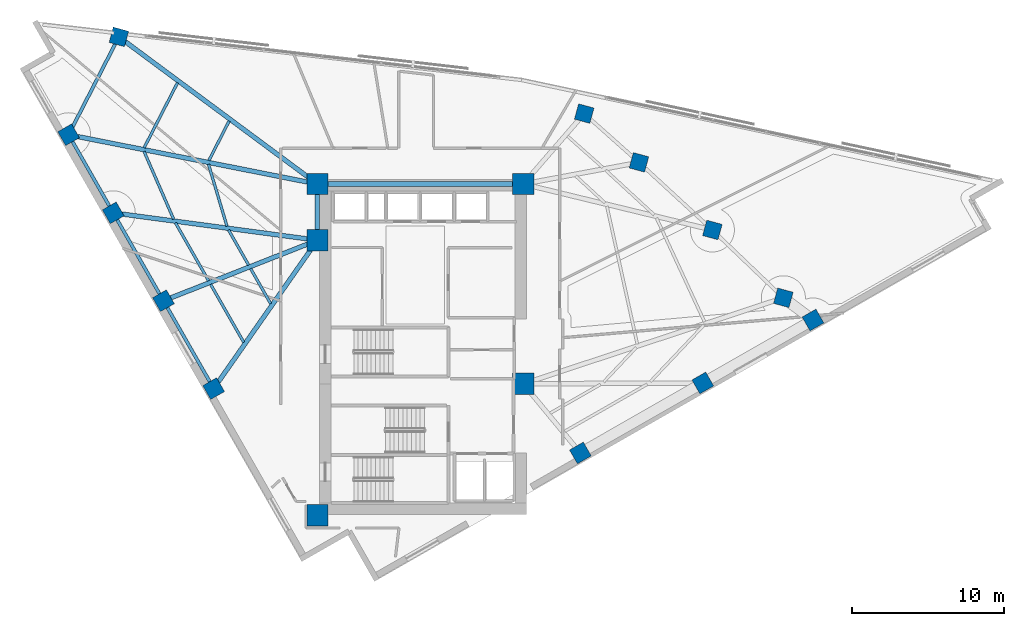
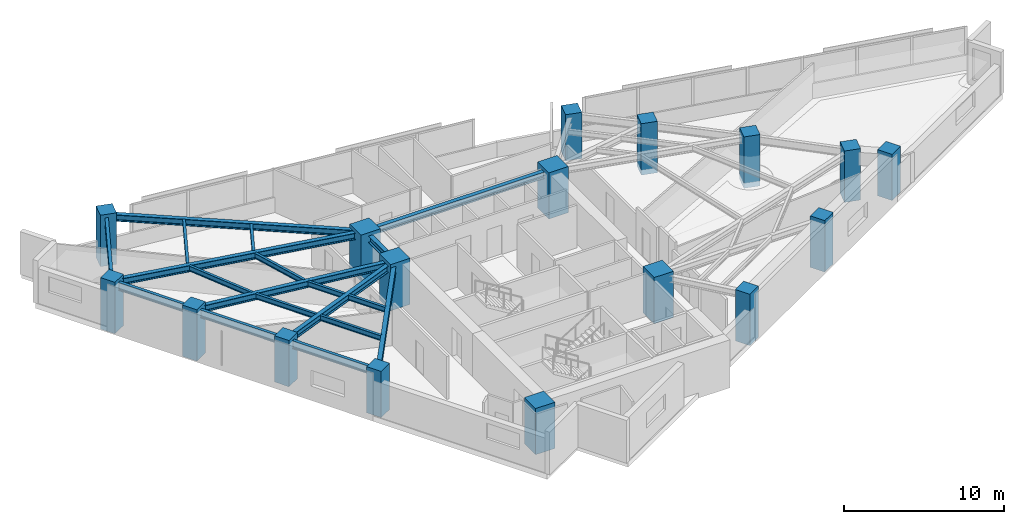
# One storey, part 1 of 13: 19 beams, 17 columns.
"""IFC4 building model written with IfcOpenShell, lengths in metres."""

from ifc_helpers import new_model, si_unit, direction, frame, origin, origin_2d, place, context, subcontext, project, spatial, rectangle, i_section, extrude, material, material_profile, profile_set, type_object, element, save


model = new_model("IFC4")

# Units and contexts
model_context = context("Model", 3, precision=1e-05, world=origin(), true_north=direction((0.0, 1.0)))
body_context = subcontext(model_context, "Body", "Model", "MODEL_VIEW")
ifc_project = project(units=[si_unit("LENGTHUNIT", "METRE"), si_unit("AREAUNIT", "SQUARE_METRE"), si_unit("VOLUMEUNIT", "CUBIC_METRE"), si_unit("PLANEANGLEUNIT", "RADIAN"), si_unit("MASSUNIT", "GRAM", prefix="KILO")], contexts=[model_context])

# Site, building, storey
site_placement = place(None, origin())
site = spatial("IfcSite", under=ifc_project, at=site_placement, CompositionType="ELEMENT")
building_placement = place(site_placement, origin())
building = spatial("IfcBuilding", under=site, at=building_placement, Name="Narakoshi Arena Tower", CompositionType="ELEMENT")
storey_placement = place(building_placement, frame((0.0, 0.0, 200.89990234375)))
storey = spatial("IfcBuildingStorey", under=building, at=storey_placement, Name="L54", CompositionType="ELEMENT", Elevation=200.89990234375)

# Columns
ifc_material_1 = material(Name="Concrete C50/60", Category="concrete")
ifc_material_profile_1 = material_profile(ifc_material_1, rectangle(XDim=1.050048828125, YDim=1.050048828125, at=origin_2d()), Name="RC1050x1050")
ifc_profile_set_1 = profile_set([ifc_material_profile_1], Name="Concrete C50/60")
column_type_1 = type_object("IfcColumnType", Name="COL-RC1050", PredefinedType="COLUMN", material=ifc_profile_set_1)
for number, where, z_axis, x_axis, name in (
    (1, (89.30810546875, 38.798583984375, -0.39990234375), (0.0, 0.0, 1.0), (0.868198814489, 0.496216503675, 0.0), "L54 Tower Perimeter Column TC01"),
    (2, (97.366943359375, 43.404541015625, -0.39990234375), (0.0, 0.0, 1.0), (0.868198814489, 0.496216503675, 0.0), "L54 Tower Perimeter Column TC02"),
):
    element("IfcColumn", number, at=place(storey_placement, frame(where, z_axis=z_axis, x_axis=x_axis)), inside=storey, type_object=column_type_1, Name=name, PredefinedType="COLUMN", context=body_context, shape_type="SweptSolid", body=[
        extrude(rectangle(XDim=1.050048828125, YDim=1.050048828125, at=origin_2d()), origin(), (0.0, 0.0, 1.0), 3.919921875),
    ])
column_1_placement = place(storey_placement, frame((104.619873046875, 47.550048828125, 0.0), z_axis=(0.0, 0.0, 1.0), x_axis=(0.868198814489, 0.496216503675, 0.0)))
element("IfcColumn", 3, at=column_1_placement, inside=storey, type_object=column_type_1, Name="L54 Tower Perimeter Column TC03", PredefinedType="COLUMN", context=body_context, shape_type="SweptSolid", body=[
    extrude(rectangle(XDim=1.050048828125, YDim=1.050048828125, at=origin_2d()), origin(), (0.0, 0.0, 1.0), 3.52001953125),
])
for number, where, z_axis, x_axis, name in (
    (4, (102.668701171875, 49.009521484375, -0.39990234375), (0.0, 0.0, 1.0), (0.263031214458, 0.964787323829, 0.0), "L54 Tower Perimeter Column TC05"),
    (5, (97.997802734375, 53.47509765625, -0.39990234375), (0.0, 0.0, 1.0), (0.263031214458, 0.964787323829, 0.0), "L54 Tower Perimeter Column TC06"),
    (6, (93.16650390625, 57.923828125, -0.39990234375), (0.0, 0.0, 1.0), (0.263031214458, 0.964787323829, 0.0), "L54 Tower Perimeter Column TC07"),
):
    element("IfcColumn", number, at=place(storey_placement, frame(where, z_axis=z_axis, x_axis=x_axis)), inside=storey, type_object=column_type_1, Name=name, PredefinedType="COLUMN", context=body_context, shape_type="SweptSolid", body=[
        extrude(rectangle(XDim=1.050048828125, YDim=1.050048828125, at=origin_2d()), origin(), (0.0, 0.0, 1.0), 3.919921875),
    ])
column_2_placement = place(storey_placement, frame((89.5615234375, 61.134765625, 0.0), z_axis=(0.0, 0.0, 1.0), x_axis=(0.263031214458, 0.964787323829, 0.0)))
element("IfcColumn", 7, at=column_2_placement, inside=storey, type_object=column_type_1, Name="L54 Tower Perimeter Column TC08", PredefinedType="COLUMN", context=body_context, shape_type="SweptSolid", body=[
    extrude(rectangle(XDim=1.050048828125, YDim=1.050048828125, at=origin_2d()), origin(), (0.0, 0.0, 1.0), 3.52001953125),
])
for number, where, z_axis, x_axis, name in (
    (8, (58.934326171875, 66.183837890625, -0.39990234375), (0.0, 0.0, 1.0), (0.263031214458, 0.964787323829, 0.0), "L54 Tower Perimeter Column TC10"),
    (9, (55.624755859375, 59.74169921875, -0.39990234375), (0.0, 0.0, 1.0), (-0.496216503675, 0.868198814489, 0.0), "L54 Tower Perimeter Column TC13"),
    (10, (58.562744140625, 54.60107421875, -0.39990234375), (0.0, 0.0, 1.0), (-0.496216503675, 0.868198814489, 0.0), "L54 Tower Perimeter Column TC14"),
):
    element("IfcColumn", number, at=place(storey_placement, frame(where, z_axis=z_axis, x_axis=x_axis)), inside=storey, type_object=column_type_1, Name=name, PredefinedType="COLUMN", context=body_context, shape_type="SweptSolid", body=[
        extrude(rectangle(XDim=1.050048828125, YDim=1.050048828125, at=origin_2d()), origin(), (0.0, 0.0, 1.0), 3.919921875),
    ])
for number, where, z_axis, x_axis, name in (
    (11, (61.8681640625, 48.81787109375, 0.0), (0.0, 0.0, 1.0), (-0.496216503675, 0.868198814489, 0.0), "L54 Tower Perimeter Column TC15"),
    (12, (65.17333984375, 43.03466796875, 0.0), (0.0, 0.0, 1.0), (-0.496216503675, 0.868198814489, 0.0), "L54 Tower Perimeter Column TC16"),
):
    element("IfcColumn", number, at=place(storey_placement, frame(where, z_axis=z_axis, x_axis=x_axis)), inside=storey, type_object=column_type_1, Name=name, PredefinedType="COLUMN", context=body_context, shape_type="SweptSolid", body=[
        extrude(rectangle(XDim=1.050048828125, YDim=1.050048828125, at=origin_2d()), origin(), (0.0, 0.0, 1.0), 3.52001953125),
    ])
ifc_material_2 = material(Name="Concrete C60/75", Category="concrete")
ifc_material_profile_2 = material_profile(ifc_material_2, rectangle(XDim=1.39990234375, YDim=1.39990234375, at=origin_2d()), Name="RC1400x1400")
ifc_profile_set_2 = profile_set([ifc_material_profile_2], Name="Concrete C60/75")
column_type_2 = type_object("IfcColumnType", Name="COL-RC1400", PredefinedType="COLUMN", material=ifc_profile_set_2)
for number, where, z_axis, x_axis, name in (
    (13, (72.0, 34.699951171875, 0.0), (0.0, 0.0, 1.0), (1.0, 0.0, 0.0), "L54 Core Structural Column CC1"),
    (14, (85.550048828125, 43.35009765625, 0.0), (0.0, 0.0, 1.0), (1.0, 0.0, 0.0), "L54 Core Structural Column CC3"),
    (15, (72.0, 52.800048828125, 0.0), (0.0, 0.0, 1.0), (1.0, 0.0, 0.0), "L54 Core Structural Column CC4"),
    (16, (72.0, 56.5, 0.0), (0.0, 0.0, 1.0), (1.0, 0.0, 0.0), "L54 Core Structural Column CC5"),
    (17, (85.550048828125, 56.5, 0.0), (0.0, 0.0, 1.0), (1.0, 0.0, 0.0), "L54 Core Structural Column CC6"),
):
    element("IfcColumn", number, at=place(storey_placement, frame(where, z_axis=z_axis, x_axis=x_axis)), inside=storey, type_object=column_type_2, Name=name, PredefinedType="COLUMN", context=body_context, shape_type="SweptSolid", body=[
        extrude(rectangle(XDim=1.39990234375, YDim=1.39990234375, at=origin_2d()), origin(), (0.0, 0.0, 1.0), 3.52001953125),
    ])

# Beams
ifc_material_3 = material(Name="Structural steel S355J2", Category="steel")
ifc_material_profile_3 = material_profile(ifc_material_3, i_section(OverallWidth=0.219970703125, OverallDepth=0.60009765625, WebThickness=0.011962890625, FlangeThickness=0.01904296875, FilletRadius=0.02392578125, at=origin_2d()), Name="IPE600")
ifc_profile_set_3 = profile_set([ifc_material_profile_3], Name="Structural steel S355J2")
beam_type_1 = type_object("IfcBeamType", Name="BM-EDGE-600", PredefinedType="BEAM", material=ifc_profile_set_3)
beam_1_placement = place(storey_placement, frame((58.934326171875, 66.183837890625, 2.960205078125), z_axis=(-0.45696256568, -0.889485926571, 0.0), x_axis=(0.889485926571, -0.45696256568, 0.0)))
element("IfcBeam", 18, at=beam_1_placement, inside=storey, type_object=beam_type_1, Name="L54 Perimeter Edge Girder 08", PredefinedType="BEAM", context=body_context, shape_type="SweptSolid", body=[
    extrude(i_section(OverallWidth=0.219970703125, OverallDepth=0.60009765625, WebThickness=0.011962890625, FlangeThickness=0.01904296875, FilletRadius=0.02392578125, at=origin_2d()), origin(), (0.0, 0.0, 1.0), 7.242431640625),
])
beam_2_placement = place(storey_placement, frame((55.624755859375, 59.74169921875, 2.960205078125), z_axis=(0.496201104161, -0.868207615856, 0.0), x_axis=(0.868207615856, 0.496201104161, 0.0)))
element("IfcBeam", 19, at=beam_2_placement, inside=storey, type_object=beam_type_1, Name="L54 Perimeter Edge Girder 09", PredefinedType="BEAM", context=body_context, shape_type="SweptSolid", body=[
    extrude(i_section(OverallWidth=0.219970703125, OverallDepth=0.60009765625, WebThickness=0.011962890625, FlangeThickness=0.01904296875, FilletRadius=0.02392578125, at=origin_2d()), origin(), (0.0, 0.0, 1.0), 5.9208984375),
])
for number, where, z_axis, x_axis, name in (
    (20, (58.562744140625, 54.60107421875, 2.960205078125), (0.496221824399, -0.868195773423, 0.0), (0.868195773423, 0.496221824399, 0.0), "L54 Perimeter Edge Girder 10"),
    (21, (61.8681640625, 48.81787109375, 2.960205078125), (0.496194197226, -0.868211563295, 0.0), (0.868211563295, 0.496194197226, 0.0), "L54 Perimeter Edge Girder 11"),
):
    element("IfcBeam", number, at=place(storey_placement, frame(where, z_axis=z_axis, x_axis=x_axis)), inside=storey, type_object=beam_type_1, Name=name, PredefinedType="BEAM", context=body_context, shape_type="SweptSolid", body=[
        extrude(i_section(OverallWidth=0.219970703125, OverallDepth=0.60009765625, WebThickness=0.011962890625, FlangeThickness=0.01904296875, FilletRadius=0.02392578125, at=origin_2d()), origin(), (0.0, 0.0, 1.0), 6.6611328125),
    ])
ifc_material_profile_4 = material_profile(ifc_material_3, i_section(OverallWidth=0.300048828125, OverallDepth=0.5, WebThickness=0.014404296875, FlangeThickness=0.028076171875, FilletRadius=0.027099609375, at=origin_2d()), Name="HE500B")
ifc_profile_set_4 = profile_set([ifc_material_profile_4], Name="Structural steel S355J2")
beam_type_2 = type_object("IfcBeamType", Name="BM-PRI-500", PredefinedType="BEAM", material=ifc_profile_set_4)
beam_3_placement = place(storey_placement, frame((72.0, 56.5, 3.010009765625), z_axis=(-0.803393614053, 0.595448319252, 0.0), x_axis=(-0.595448319252, -0.803393614053, 0.0)))
element("IfcBeam", 22, at=beam_3_placement, inside=storey, type_object=beam_type_2, Name="L54 Radial Primary Floor Girder 08", PredefinedType="BEAM", context=body_context, shape_type="SweptSolid", body=[
    extrude(i_section(OverallWidth=0.300048828125, OverallDepth=0.5, WebThickness=0.014404296875, FlangeThickness=0.028076171875, FilletRadius=0.027099609375, at=origin_2d()), origin(), (0.0, 0.0, 1.0), 16.26318359375),
])
beam_4_placement = place(storey_placement, frame((72.0, 56.5, 3.010009765625), z_axis=(-0.980962989548, 0.194194781435, 0.0), x_axis=(-0.194194781435, -0.980962989548, 0.0)))
element("IfcBeam", 23, at=beam_4_placement, inside=storey, type_object=beam_type_2, Name="L54 Radial Primary Floor Girder 09", PredefinedType="BEAM", context=body_context, shape_type="SweptSolid", body=[
    extrude(i_section(OverallWidth=0.300048828125, OverallDepth=0.5, WebThickness=0.014404296875, FlangeThickness=0.028076171875, FilletRadius=0.027099609375, at=origin_2d()), origin(), (0.0, 0.0, 1.0), 16.693115234375),
])
beam_5_placement = place(storey_placement, frame((72.0, 52.800048828125, 3.010009765625), z_axis=(-0.991136919777, 0.132844293268, 0.0), x_axis=(-0.132844293268, -0.991136919777, 0.0)))
element("IfcBeam", 24, at=beam_5_placement, inside=storey, type_object=beam_type_2, Name="L54 Radial Primary Floor Girder 10", PredefinedType="BEAM", context=body_context, shape_type="SweptSolid", body=[
    extrude(i_section(OverallWidth=0.300048828125, OverallDepth=0.5, WebThickness=0.014404296875, FlangeThickness=0.028076171875, FilletRadius=0.027099609375, at=origin_2d()), origin(), (0.0, 0.0, 1.0), 13.557373046875),
])
beam_6_placement = place(storey_placement, frame((72.0, 52.800048828125, 3.010009765625), z_axis=(-0.930694784397, -0.365796689838, 0.0), x_axis=(0.365796689838, -0.930694784397, 0.0)))
element("IfcBeam", 25, at=beam_6_placement, inside=storey, type_object=beam_type_2, Name="L54 Radial Primary Floor Girder 11", PredefinedType="BEAM", context=body_context, shape_type="SweptSolid", body=[
    extrude(i_section(OverallWidth=0.300048828125, OverallDepth=0.5, WebThickness=0.014404296875, FlangeThickness=0.028076171875, FilletRadius=0.027099609375, at=origin_2d()), origin(), (0.0, 0.0, 1.0), 10.88623046875),
])
beam_7_placement = place(storey_placement, frame((72.0, 52.800048828125, 3.010009765625), z_axis=(-0.572949287291, -0.819590821198, 0.0), x_axis=(0.819590821198, -0.572949287291, 0.0)))
element("IfcBeam", 26, at=beam_7_placement, inside=storey, type_object=beam_type_2, Name="L54 Radial Primary Floor Girder 12", PredefinedType="BEAM", context=body_context, shape_type="SweptSolid", body=[
    extrude(i_section(OverallWidth=0.300048828125, OverallDepth=0.5, WebThickness=0.014404296875, FlangeThickness=0.028076171875, FilletRadius=0.027099609375, at=origin_2d()), origin(), (0.0, 0.0, 1.0), 11.9150390625),
])
beam_8_placement = place(storey_placement, frame((72.0, 52.800048828125, 3.010009765625), z_axis=(0.0, 1.0, 0.0), x_axis=(-1.0, 0.0, 0.0)))
element("IfcBeam", 27, at=beam_8_placement, inside=storey, type_object=beam_type_2, Name="L54 Core Perimeter Frame Beam CC4-CC5", PredefinedType="BEAM", context=body_context, shape_type="SweptSolid", body=[
    extrude(i_section(OverallWidth=0.300048828125, OverallDepth=0.5, WebThickness=0.014404296875, FlangeThickness=0.028076171875, FilletRadius=0.027099609375, at=origin_2d()), origin(), (0.0, 0.0, 1.0), 3.699951171875),
])
beam_9_placement = place(storey_placement, frame((72.0, 56.5, 3.010009765625), z_axis=(1.0, 0.0, 0.0), x_axis=(0.0, 1.0, 0.0)))
element("IfcBeam", 28, at=beam_9_placement, inside=storey, type_object=beam_type_2, Name="L54 Core Perimeter Frame Beam CC5-CC6", PredefinedType="BEAM", context=body_context, shape_type="SweptSolid", body=[
    extrude(i_section(OverallWidth=0.300048828125, OverallDepth=0.5, WebThickness=0.014404296875, FlangeThickness=0.028076171875, FilletRadius=0.027099609375, at=origin_2d()), origin(), (0.0, 0.0, 1.0), 13.550048828125),
])
ifc_material_profile_5 = material_profile(ifc_material_3, i_section(OverallWidth=0.179931640625, OverallDepth=0.39990234375, WebThickness=0.008544921875, FlangeThickness=0.013427734375, FilletRadius=0.02099609375, at=origin_2d()), Name="IPE400")
ifc_profile_set_5 = profile_set([ifc_material_profile_5], Name="Structural steel S355J2")
beam_type_3 = type_object("IfcBeamType", Name="BM-SEC-400", PredefinedType="JOIST", material=ifc_profile_set_5)
beam_10_placement = place(storey_placement, frame((66.189453125, 60.640869140625, 3.06005859375), z_axis=(-0.456929991759, -0.889502660272, 0.0), x_axis=(0.889502660272, -0.456929991759, 0.0)))
element("IfcBeam", 29, at=beam_10_placement, inside=storey, type_object=beam_type_3, Name="L54 Composite Secondary Floor Joist 10", PredefinedType="JOIST", context=body_context, shape_type="SweptSolid", body=[
    extrude(i_section(OverallWidth=0.179931640625, OverallDepth=0.39990234375, WebThickness=0.008544921875, FlangeThickness=0.013427734375, FilletRadius=0.02099609375, at=origin_2d()), origin(), (0.0, 0.0, 1.0), 2.916748046875),
])
beam_11_placement = place(storey_placement, frame((62.792236328125, 63.15869140625, 3.06005859375), z_axis=(-0.456912378331, -0.889511707921, 0.0), x_axis=(0.889511707921, -0.456912378331, 0.0)))
element("IfcBeam", 30, at=beam_11_placement, inside=storey, type_object=beam_type_3, Name="L54 Composite Secondary Floor Joist 11", PredefinedType="JOIST", context=body_context, shape_type="SweptSolid", body=[
    extrude(i_section(OverallWidth=0.179931640625, OverallDepth=0.39990234375, WebThickness=0.008544921875, FlangeThickness=0.013427734375, FilletRadius=0.02099609375, at=origin_2d()), origin(), (0.0, 0.0, 1.0), 4.7998046875),
])
beam_12_placement = place(storey_placement, frame((64.83349609375, 57.796875, 3.06005859375), z_axis=(0.285841192942, -0.958277001925, 0.0), x_axis=(0.958277001925, 0.285841192942, 0.0)))
element("IfcBeam", 31, at=beam_12_placement, inside=storey, type_object=beam_type_3, Name="L54 Composite Secondary Floor Joist 12", PredefinedType="JOIST", context=body_context, shape_type="SweptSolid", body=[
    extrude(i_section(OverallWidth=0.179931640625, OverallDepth=0.39990234375, WebThickness=0.008544921875, FlangeThickness=0.013427734375, FilletRadius=0.02099609375, at=origin_2d()), origin(), (0.0, 0.0, 1.0), 4.252685546875),
])
beam_13_placement = place(storey_placement, frame((60.59130859375, 58.6455078125, 3.06005859375), z_axis=(0.400253122957, -0.916404625459, 0.0), x_axis=(0.916404625459, 0.400253122957, 0.0)))
element("IfcBeam", 32, at=beam_13_placement, inside=storey, type_object=beam_type_3, Name="L54 Composite Secondary Floor Joist 13", PredefinedType="JOIST", context=body_context, shape_type="SweptSolid", body=[
    extrude(i_section(OverallWidth=0.179931640625, OverallDepth=0.39990234375, WebThickness=0.008544921875, FlangeThickness=0.013427734375, FilletRadius=0.02099609375, at=origin_2d()), origin(), (0.0, 0.0, 1.0), 4.8681640625),
])
beam_14_placement = place(storey_placement, frame((66.154541015625, 53.47509765625, 3.06005859375), z_axis=(0.49628714607, -0.868158435221, 0.0), x_axis=(0.868158435221, 0.49628714607, 0.0)))
element("IfcBeam", 33, at=beam_14_placement, inside=storey, type_object=beam_type_3, Name="L54 Composite Secondary Floor Joist 14", PredefinedType="JOIST", context=body_context, shape_type="SweptSolid", body=[
    extrude(i_section(OverallWidth=0.179931640625, OverallDepth=0.39990234375, WebThickness=0.008544921875, FlangeThickness=0.013427734375, FilletRadius=0.02099609375, at=origin_2d()), origin(), (0.0, 0.0, 1.0), 2.660888671875),
])
beam_15_placement = place(storey_placement, frame((62.660888671875, 53.943603515625, 3.06005859375), z_axis=(0.496228710621, -0.868191837531, 0.0), x_axis=(0.868191837531, 0.496228710621, 0.0)))
element("IfcBeam", 34, at=beam_15_placement, inside=storey, type_object=beam_type_3, Name="L54 Composite Secondary Floor Joist 15", PredefinedType="JOIST", context=body_context, shape_type="SweptSolid", body=[
    extrude(i_section(OverallWidth=0.179931640625, OverallDepth=0.39990234375, WebThickness=0.008544921875, FlangeThickness=0.013427734375, FilletRadius=0.02099609375, at=origin_2d()), origin(), (0.0, 0.0, 1.0), 4.39306640625),
])
beam_16_placement = place(storey_placement, frame((67.60888671875, 50.9306640625, 3.06005859375), z_axis=(0.496217987869, -0.868197966201, 0.0), x_axis=(0.868197966201, 0.496217987869, 0.0)))
element("IfcBeam", 35, at=beam_16_placement, inside=storey, type_object=beam_type_3, Name="L54 Composite Secondary Floor Joist 16", PredefinedType="JOIST", context=body_context, shape_type="SweptSolid", body=[
    extrude(i_section(OverallWidth=0.179931640625, OverallDepth=0.39990234375, WebThickness=0.008544921875, FlangeThickness=0.013427734375, FilletRadius=0.02099609375, at=origin_2d()), origin(), (0.0, 0.0, 1.0), 2.66064453125),
])
beam_17_placement = place(storey_placement, frame((64.974609375, 49.895263671875, 3.06005859375), z_axis=(0.496210762038, -0.86820209608, 0.0), x_axis=(0.86820209608, 0.496210762038, 0.0)))
element("IfcBeam", 36, at=beam_17_placement, inside=storey, type_object=beam_type_3, Name="L54 Composite Secondary Floor Joist 17", PredefinedType="JOIST", context=body_context, shape_type="SweptSolid", body=[
    extrude(i_section(OverallWidth=0.179931640625, OverallDepth=0.39990234375, WebThickness=0.008544921875, FlangeThickness=0.013427734375, FilletRadius=0.02099609375, at=origin_2d()), origin(), (0.0, 0.0, 1.0), 4.392578125),
])

save(model, "model.ifc")
